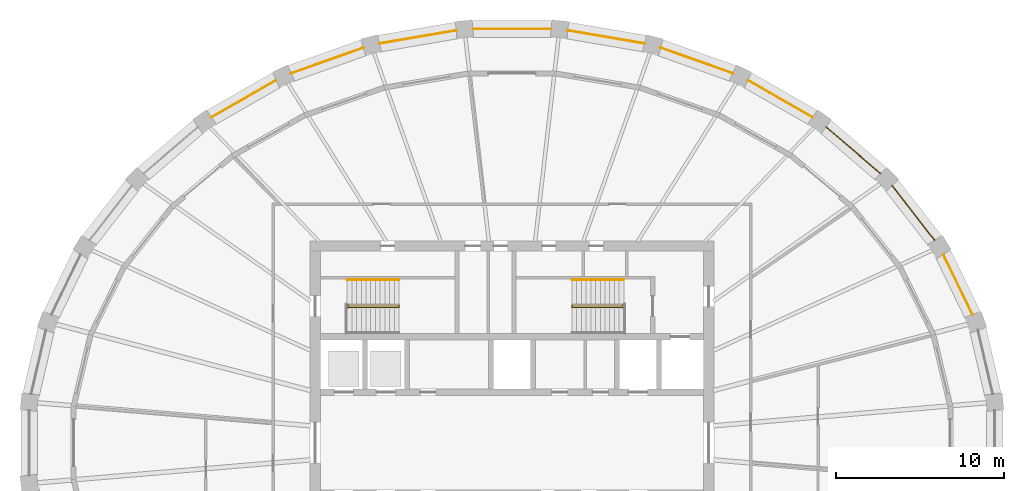
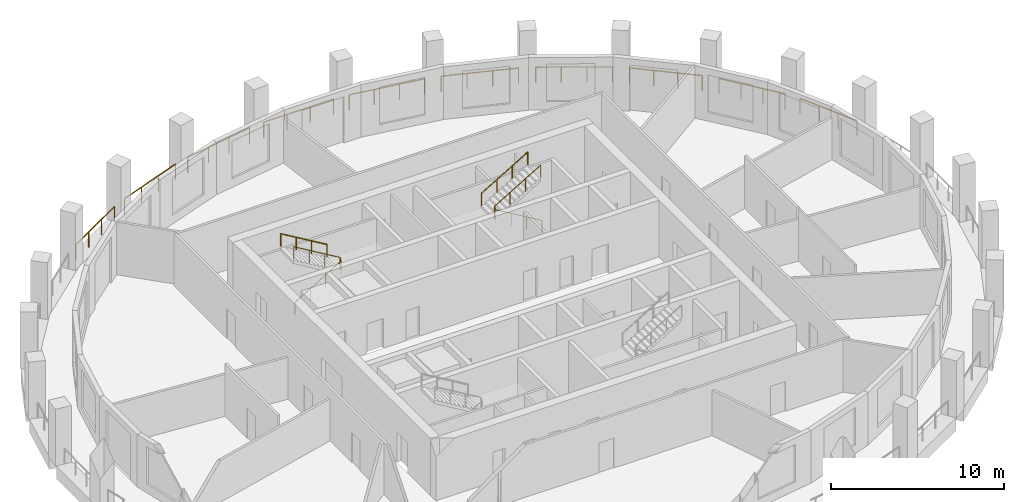
# One storey, part 9 of 10: 14 railings.
"""IFC4 building model written with IfcOpenShell, lengths in metres."""

from ifc_helpers import new_model, si_unit, direction, frame, origin, origin_2d, place, context, subcontext, project, spatial, circle, extrude, material, type_object, element, save


model = new_model("IFC4")

# Units and contexts
model_context = context("Model", 3, precision=1e-05, world=origin(), true_north=direction((0.0, 1.0)))
body_context = subcontext(model_context, "Body", "Model", "MODEL_VIEW")
ifc_project = project(units=[si_unit("LENGTHUNIT", "METRE"), si_unit("AREAUNIT", "SQUARE_METRE"), si_unit("VOLUMEUNIT", "CUBIC_METRE"), si_unit("PLANEANGLEUNIT", "RADIAN"), si_unit("MASSUNIT", "GRAM", prefix="KILO")], contexts=[model_context])

# Site, building, storey
site_placement = place(None, origin())
site = spatial("IfcSite", under=ifc_project, at=site_placement, CompositionType="ELEMENT")
building_placement = place(site_placement, origin())
building = spatial("IfcBuilding", under=site, at=building_placement, Name="Halqa Exchange Tower", CompositionType="ELEMENT")
storey_placement = place(building_placement, frame((0.0, 0.0, 308.300048828125)))
storey = spatial("IfcBuildingStorey", under=building, at=storey_placement, Name="L72", CompositionType="ELEMENT", Elevation=308.300048828125)

# Railings
ifc_material = material(Name="Stainless steel", Category="steel")
railing_type_1 = type_object("IfcRailingType", Name="Guard 1100 stainless steel", PredefinedType="GUARDRAIL", material=ifc_material)
railing_1_placement = place(storey_placement, frame((27.382568359375, 7.626708984375, 0.0)))
element("IfcRailing", 1, at=railing_1_placement, inside=storey, type_object=railing_type_1, Name="Loggia guard 2", PredefinedType="GUARDRAIL", context=body_context, shape_type="SweptSolid", body=[
    extrude(circle(Radius=0.02392578125, at=origin_2d()), frame((0.0, 0.0, 1.076171875), z_axis=(-0.435103066542, 0.90038065366, 0.0), x_axis=(-0.90038065366, -0.435103066542, 0.0)), (0.0, 0.0, 1.0), 3.97265625),
    extrude(circle(Radius=0.02099609375, at=origin_2d()), origin(), (0.0, 0.0, 1.0), 1.052001953125),
    extrude(circle(Radius=0.02099609375, at=origin_2d()), frame((-0.576171875, 1.1923828125, 0.0)), (0.0, 0.0, 1.0), 1.052001953125),
    extrude(circle(Radius=0.02099609375, at=origin_2d()), frame((-1.15234375, 2.384521484375, 0.0)), (0.0, 0.0, 1.0), 1.052001953125),
    extrude(circle(Radius=0.02099609375, at=origin_2d()), frame((-1.728515625, 3.576904296875, 0.0)), (0.0, 0.0, 1.0), 1.052001953125),
])
railing_2_placement = place(storey_placement, frame((25.129150390625, 12.048095703125, 0.0)))
element("IfcRailing", 2, at=railing_2_placement, inside=storey, type_object=railing_type_1, Name="Loggia guard 3", PredefinedType="GUARDRAIL", context=body_context, shape_type="SweptSolid", body=[
    extrude(circle(Radius=0.02392578125, at=origin_2d()), frame((0.0, 0.0, 1.076171875), z_axis=(-0.614828624777, 0.78866073958, 0.0), x_axis=(-0.78866073958, -0.614828624777, 0.0)), (0.0, 0.0, 1.0), 4.109375),
    extrude(circle(Radius=0.02099609375, at=origin_2d()), origin(), (0.0, 0.0, 1.0), 1.052001953125),
    extrude(circle(Radius=0.02099609375, at=origin_2d()), frame((-0.84228515625, 1.080322265625, 0.0)), (0.0, 0.0, 1.0), 1.052001953125),
    extrude(circle(Radius=0.02099609375, at=origin_2d()), frame((-1.684326171875, 2.16064453125, 0.0)), (0.0, 0.0, 1.0), 1.052001953125),
    extrude(circle(Radius=0.02099609375, at=origin_2d()), frame((-2.526611328125, 3.240966796875, 0.0)), (0.0, 0.0, 1.0), 1.052001953125),
])
railing_3_placement = place(storey_placement, frame((21.91552734375, 16.0087890625, 0.0)))
element("IfcRailing", 3, at=railing_3_placement, inside=storey, type_object=railing_type_1, Name="Loggia guard 4", PredefinedType="GUARDRAIL", context=body_context, shape_type="SweptSolid", body=[
    extrude(circle(Radius=0.02392578125, at=origin_2d()), frame((0.0, 0.0, 1.076171875), z_axis=(-0.759252562376, 0.650796086747, 0.0), x_axis=(-0.650796086747, -0.759252562376, 0.0)), (0.0, 0.0, 1.0), 4.265625),
    extrude(circle(Radius=0.02099609375, at=origin_2d()), origin(), (0.0, 0.0, 1.0), 1.052001953125),
    extrude(circle(Radius=0.02099609375, at=origin_2d()), frame((-1.07958984375, 0.92529296875, 0.0)), (0.0, 0.0, 1.0), 1.052001953125),
    extrude(circle(Radius=0.02099609375, at=origin_2d()), frame((-2.1591796875, 1.850830078125, 0.0)), (0.0, 0.0, 1.0), 1.052001953125),
    extrude(circle(Radius=0.02099609375, at=origin_2d()), frame((-3.23876953125, 2.776123046875, 0.0)), (0.0, 0.0, 1.0), 1.052001953125),
])
railing_4_placement = place(storey_placement, frame((17.86328125, 19.358642578125, 0.0)))
element("IfcRailing", 4, at=railing_4_placement, inside=storey, type_object=railing_type_1, Name="Loggia guard 5", PredefinedType="GUARDRAIL", context=body_context, shape_type="SweptSolid", body=[
    extrude(circle(Radius=0.02392578125, at=origin_2d()), frame((0.0, 0.0, 1.076171875), z_axis=(-0.867742750066, 0.49701360113, 0.0), x_axis=(-0.49701360113, -0.867742750066, 0.0)), (0.0, 0.0, 1.0), 4.41748046875),
    extrude(circle(Radius=0.02099609375, at=origin_2d()), origin(), (0.0, 0.0, 1.0), 1.052001953125),
    extrude(circle(Radius=0.02099609375, at=origin_2d()), frame((-1.27783203125, 0.73193359375, 0.0)), (0.0, 0.0, 1.0), 1.052001953125),
    extrude(circle(Radius=0.02099609375, at=origin_2d()), frame((-2.555419921875, 1.463623046875, 0.0)), (0.0, 0.0, 1.0), 1.052001953125),
    extrude(circle(Radius=0.02099609375, at=origin_2d()), frame((-3.833251953125, 2.195556640625, 0.0)), (0.0, 0.0, 1.0), 1.052001953125),
])
railing_5_placement = place(storey_placement, frame((13.125, 21.969970703125, 0.0)))
element("IfcRailing", 5, at=railing_5_placement, inside=storey, type_object=railing_type_1, Name="Loggia guard 6", PredefinedType="GUARDRAIL", context=body_context, shape_type="SweptSolid", body=[
    extrude(circle(Radius=0.02392578125, at=origin_2d()), frame((0.0, 0.0, 1.076171875), z_axis=(-0.9423736492, 0.334562259219, 0.0), x_axis=(-0.334562259219, -0.9423736492, 0.0)), (0.0, 0.0, 1.0), 4.543212890625),
    extrude(circle(Radius=0.02099609375, at=origin_2d()), origin(), (0.0, 0.0, 1.0), 1.052001953125),
    extrude(circle(Radius=0.02099609375, at=origin_2d()), frame((-1.42724609375, 0.506591796875, 0.0)), (0.0, 0.0, 1.0), 1.052001953125),
    extrude(circle(Radius=0.02099609375, at=origin_2d()), frame((-2.854248046875, 1.013427734375, 0.0)), (0.0, 0.0, 1.0), 1.052001953125),
    extrude(circle(Radius=0.02099609375, at=origin_2d()), frame((-4.281494140625, 1.52001953125, 0.0)), (0.0, 0.0, 1.0), 1.052001953125),
])
railing_6_placement = place(storey_placement, frame((7.87939453125, 23.7412109375, 0.0)))
element("IfcRailing", 6, at=railing_6_placement, inside=storey, type_object=railing_type_1, Name="Loggia guard 7", PredefinedType="GUARDRAIL", context=body_context, shape_type="SweptSolid", body=[
    extrude(circle(Radius=0.02392578125, at=origin_2d()), frame((0.0, 0.0, 1.076171875), z_axis=(-0.985767803326, 0.168112575155, 0.0), x_axis=(-0.168112575155, -0.985767803326, 0.0)), (0.0, 0.0, 1.0), 4.62548828125),
    extrude(circle(Radius=0.02099609375, at=origin_2d()), origin(), (0.0, 0.0, 1.0), 1.052001953125),
    extrude(circle(Radius=0.02099609375, at=origin_2d()), frame((-1.519775390625, 0.25927734375, 0.0)), (0.0, 0.0, 1.0), 1.052001953125),
    extrude(circle(Radius=0.02099609375, at=origin_2d()), frame((-3.039794921875, 0.518310546875, 0.0)), (0.0, 0.0, 1.0), 1.052001953125),
    extrude(circle(Radius=0.02099609375, at=origin_2d()), frame((-4.5595703125, 0.777587890625, 0.0)), (0.0, 0.0, 1.0), 1.052001953125),
])
railing_7_placement = place(storey_placement, frame((2.326904296875, 24.602783203125, 0.0)))
element("IfcRailing", 7, at=railing_7_placement, inside=storey, type_object=railing_type_1, Name="Loggia guard 8", PredefinedType="GUARDRAIL", context=body_context, shape_type="SweptSolid", body=[
    extrude(circle(Radius=0.02392578125, at=origin_2d()), frame((0.0, 0.0, 1.076171875), z_axis=(-1.0, 0.0, 0.0), x_axis=(0.0, -1.0, 0.0)), (0.0, 0.0, 1.0), 4.65380859375),
    extrude(circle(Radius=0.02099609375, at=origin_2d()), origin(), (0.0, 0.0, 1.0), 1.052001953125),
    extrude(circle(Radius=0.02099609375, at=origin_2d()), frame((-1.55126953125, 0.0, 0.0)), (0.0, 0.0, 1.0), 1.052001953125),
    extrude(circle(Radius=0.02099609375, at=origin_2d()), frame((-3.1025390625, 0.0, 0.0)), (0.0, 0.0, 1.0), 1.052001953125),
    extrude(circle(Radius=0.02099609375, at=origin_2d()), frame((-4.65380859375, 0.0, 0.0)), (0.0, 0.0, 1.0), 1.052001953125),
])
railing_8_placement = place(storey_placement, frame((-3.31982421875, 24.518798828125, 0.0)))
element("IfcRailing", 8, at=railing_8_placement, inside=storey, type_object=railing_type_1, Name="Loggia guard 9", PredefinedType="GUARDRAIL", context=body_context, shape_type="SweptSolid", body=[
    extrude(circle(Radius=0.02392578125, at=origin_2d()), frame((0.0, 0.0, 1.076171875), z_axis=(-0.985767803326, -0.168112575155, 0.0), x_axis=(0.168112575155, -0.985767803326, 0.0)), (0.0, 0.0, 1.0), 4.62548828125),
    extrude(circle(Radius=0.02099609375, at=origin_2d()), origin(), (0.0, 0.0, 1.0), 1.052001953125),
    extrude(circle(Radius=0.02099609375, at=origin_2d()), frame((-1.519775390625, -0.25927734375, 0.0)), (0.0, 0.0, 1.0), 1.052001953125),
    extrude(circle(Radius=0.02099609375, at=origin_2d()), frame((-3.039794921875, -0.518310546875, 0.0)), (0.0, 0.0, 1.0), 1.052001953125),
    extrude(circle(Radius=0.02099609375, at=origin_2d()), frame((-4.5595703125, -0.777587890625, 0.0)), (0.0, 0.0, 1.0), 1.052001953125),
])
railing_9_placement = place(storey_placement, frame((-8.843505859375, 23.489990234375, 0.0)))
element("IfcRailing", 9, at=railing_9_placement, inside=storey, type_object=railing_type_1, Name="Loggia guard 10", PredefinedType="GUARDRAIL", context=body_context, shape_type="SweptSolid", body=[
    extrude(circle(Radius=0.02392578125, at=origin_2d()), frame((0.0, 0.0, 1.076171875), z_axis=(-0.9423736492, -0.334562259219, 0.0), x_axis=(0.334562259219, -0.9423736492, 0.0)), (0.0, 0.0, 1.0), 4.543212890625),
    extrude(circle(Radius=0.02099609375, at=origin_2d()), origin(), (0.0, 0.0, 1.0), 1.052001953125),
    extrude(circle(Radius=0.02099609375, at=origin_2d()), frame((-1.42724609375, -0.506591796875, 0.0)), (0.0, 0.0, 1.0), 1.052001953125),
    extrude(circle(Radius=0.02099609375, at=origin_2d()), frame((-2.854248046875, -1.013427734375, 0.0)), (0.0, 0.0, 1.0), 1.052001953125),
    extrude(circle(Radius=0.02099609375, at=origin_2d()), frame((-4.281494140625, -1.52001953125, 0.0)), (0.0, 0.0, 1.0), 1.052001953125),
])
railing_10_placement = place(storey_placement, frame((-14.030029296875, 21.55419921875, 0.0)))
element("IfcRailing", 10, at=railing_10_placement, inside=storey, type_object=railing_type_1, Name="Loggia guard 11", PredefinedType="GUARDRAIL", context=body_context, shape_type="SweptSolid", body=[
    extrude(circle(Radius=0.02392578125, at=origin_2d()), frame((0.0, 0.0, 1.076171875), z_axis=(-0.867742750066, -0.49701360113, 0.0), x_axis=(0.49701360113, -0.867742750066, 0.0)), (0.0, 0.0, 1.0), 4.41748046875),
    extrude(circle(Radius=0.02099609375, at=origin_2d()), origin(), (0.0, 0.0, 1.0), 1.052001953125),
    extrude(circle(Radius=0.02099609375, at=origin_2d()), frame((-1.27783203125, -0.73193359375, 0.0)), (0.0, 0.0, 1.0), 1.052001953125),
    extrude(circle(Radius=0.02099609375, at=origin_2d()), frame((-2.555419921875, -1.463623046875, 0.0)), (0.0, 0.0, 1.0), 1.052001953125),
    extrude(circle(Radius=0.02099609375, at=origin_2d()), frame((-3.833251953125, -2.195556640625, 0.0)), (0.0, 0.0, 1.0), 1.052001953125),
])
railing_type_2 = type_object("IfcRailingType", Name="Stair handrail 900", PredefinedType="HANDRAIL", material=ifc_material)
railing_11_placement = place(storey_placement, frame((-9.800048828125, 8.06005859375, 0.166748046875)))
element("IfcRailing", 11, at=railing_11_placement, inside=storey, type_object=railing_type_2, Name="Handrail ST1.1", PredefinedType="HANDRAIL", context=body_context, shape_type="SweptSolid", body=[
    extrude(circle(Radius=0.02392578125, at=origin_2d()), frame((0.0, 0.0, 0.8759765625), z_axis=(0.859308565015, 0.0, 0.511457515432), x_axis=(0.0, 1.0, 0.0)), (0.0, 0.0, 1.0), 3.58447265625),
    extrude(circle(Radius=0.02392578125, at=origin_2d()), frame((3.080078125, 0.0, 2.708984375), z_axis=(0.0, 0.614500226555, 0.788916644243), x_axis=(-1.0, 0.0, 0.0)), (0.0, 0.0, 1.0), 0.21142578125),
    extrude(circle(Radius=0.02392578125, at=origin_2d()), frame((3.080078125, 0.1298828125, 2.8759765625), z_axis=(-0.859308565015, 0.0, 0.511457515432), x_axis=(0.0, -1.0, 0.0)), (0.0, 0.0, 1.0), 3.58447265625),
    extrude(circle(Radius=0.02099609375, at=origin_2d()), origin(), (0.0, 0.0, 1.0), 0.851806640625),
    extrude(circle(Radius=0.02099609375, at=origin_2d()), frame((1.026611328125, 0.0, 0.611083984375)), (0.0, 0.0, 1.0), 0.851806640625),
    extrude(circle(Radius=0.02099609375, at=origin_2d()), frame((2.053466796875, 0.0, 1.22216796875)), (0.0, 0.0, 1.0), 0.851806640625),
    extrude(circle(Radius=0.02099609375, at=origin_2d()), frame((3.080078125, 0.0, 1.833251953125)), (0.0, 0.0, 1.0), 0.851806640625),
    extrude(circle(Radius=0.02099609375, at=origin_2d()), frame((3.080078125, 0.1298828125, 2.0)), (0.0, 0.0, 1.0), 0.851806640625),
    extrude(circle(Radius=0.02099609375, at=origin_2d()), frame((2.053466796875, 0.1298828125, 2.611083984375)), (0.0, 0.0, 1.0), 0.851806640625),
    extrude(circle(Radius=0.02099609375, at=origin_2d()), frame((1.026611328125, 0.1298828125, 3.22216796875)), (0.0, 0.0, 1.0), 0.851806640625),
    extrude(circle(Radius=0.02099609375, at=origin_2d()), frame((0.0, 0.1298828125, 3.833251953125)), (0.0, 0.0, 1.0), 0.851806640625),
])
railing_12_placement = place(storey_placement, frame((-6.719970703125, 9.699951171875, 2.166748046875)))
element("IfcRailing", 12, at=railing_12_placement, inside=storey, type_object=railing_type_2, Name="Handrail ST1.3", PredefinedType="HANDRAIL", context=body_context, shape_type="SweptSolid", body=[
    extrude(circle(Radius=0.02392578125, at=origin_2d()), frame((0.0, 0.0, 0.8759765625), z_axis=(-0.859308565015, 0.0, 0.511457515432), x_axis=(0.0, -1.0, 0.0)), (0.0, 0.0, 1.0), 3.58447265625),
    extrude(circle(Radius=0.02099609375, at=origin_2d()), origin(), (0.0, 0.0, 1.0), 0.851806640625),
    extrude(circle(Radius=0.02099609375, at=origin_2d()), frame((-1.026611328125, 0.0, 0.611083984375)), (0.0, 0.0, 1.0), 0.851806640625),
    extrude(circle(Radius=0.02099609375, at=origin_2d()), frame((-2.053466796875, 0.0, 1.22216796875)), (0.0, 0.0, 1.0), 0.851806640625),
    extrude(circle(Radius=0.02099609375, at=origin_2d()), frame((-3.080078125, 0.0, 1.833251953125)), (0.0, 0.0, 1.0), 0.851806640625),
])
railing_13_placement = place(storey_placement, frame((6.64990234375, 8.06005859375, 0.166748046875)))
element("IfcRailing", 13, at=railing_13_placement, inside=storey, type_object=railing_type_2, Name="Handrail ST2.1", PredefinedType="HANDRAIL", context=body_context, shape_type="SweptSolid", body=[
    extrude(circle(Radius=0.02392578125, at=origin_2d()), frame((0.0, 0.0, 0.8759765625), z_axis=(-0.859290745958, 0.0, 0.51148745235), x_axis=(0.0, -1.0, 0.0)), (0.0, 0.0, 1.0), 3.584228515625),
    extrude(circle(Radius=0.02392578125, at=origin_2d()), frame((-3.079833984375, 0.0, 2.708984375), z_axis=(0.0, 0.614500226555, 0.788916644243), x_axis=(-1.0, 0.0, 0.0)), (0.0, 0.0, 1.0), 0.21142578125),
    extrude(circle(Radius=0.02392578125, at=origin_2d()), frame((-3.079833984375, 0.1298828125, 2.8759765625), z_axis=(0.859290745958, 0.0, 0.51148745235), x_axis=(0.0, 1.0, 0.0)), (0.0, 0.0, 1.0), 3.584228515625),
    extrude(circle(Radius=0.02099609375, at=origin_2d()), origin(), (0.0, 0.0, 1.0), 0.851806640625),
    extrude(circle(Radius=0.02099609375, at=origin_2d()), frame((-1.026611328125, 0.0, 0.611083984375)), (0.0, 0.0, 1.0), 0.851806640625),
    extrude(circle(Radius=0.02099609375, at=origin_2d()), frame((-2.05322265625, 0.0, 1.22216796875)), (0.0, 0.0, 1.0), 0.851806640625),
    extrude(circle(Radius=0.02099609375, at=origin_2d()), frame((-3.079833984375, 0.0, 1.833251953125)), (0.0, 0.0, 1.0), 0.851806640625),
    extrude(circle(Radius=0.02099609375, at=origin_2d()), frame((-3.079833984375, 0.1298828125, 2.0)), (0.0, 0.0, 1.0), 0.851806640625),
    extrude(circle(Radius=0.02099609375, at=origin_2d()), frame((-2.05322265625, 0.1298828125, 2.611083984375)), (0.0, 0.0, 1.0), 0.851806640625),
    extrude(circle(Radius=0.02099609375, at=origin_2d()), frame((-1.026611328125, 0.1298828125, 3.22216796875)), (0.0, 0.0, 1.0), 0.851806640625),
    extrude(circle(Radius=0.02099609375, at=origin_2d()), frame((0.0, 0.1298828125, 3.833251953125)), (0.0, 0.0, 1.0), 0.851806640625),
])
railing_14_placement = place(storey_placement, frame((3.570068359375, 9.699951171875, 2.166748046875)))
element("IfcRailing", 14, at=railing_14_placement, inside=storey, type_object=railing_type_2, Name="Handrail ST2.3", PredefinedType="HANDRAIL", context=body_context, shape_type="SweptSolid", body=[
    extrude(circle(Radius=0.02392578125, at=origin_2d()), frame((0.0, 0.0, 0.8759765625), z_axis=(0.859290745958, 0.0, 0.51148745235), x_axis=(0.0, 1.0, 0.0)), (0.0, 0.0, 1.0), 3.584228515625),
    extrude(circle(Radius=0.02099609375, at=origin_2d()), origin(), (0.0, 0.0, 1.0), 0.851806640625),
    extrude(circle(Radius=0.02099609375, at=origin_2d()), frame((1.026611328125, 0.0, 0.611083984375)), (0.0, 0.0, 1.0), 0.851806640625),
    extrude(circle(Radius=0.02099609375, at=origin_2d()), frame((2.05322265625, 0.0, 1.22216796875)), (0.0, 0.0, 1.0), 0.851806640625),
    extrude(circle(Radius=0.02099609375, at=origin_2d()), frame((3.079833984375, 0.0, 1.833251953125)), (0.0, 0.0, 1.0), 0.851806640625),
])

save(model, "model.ifc")
